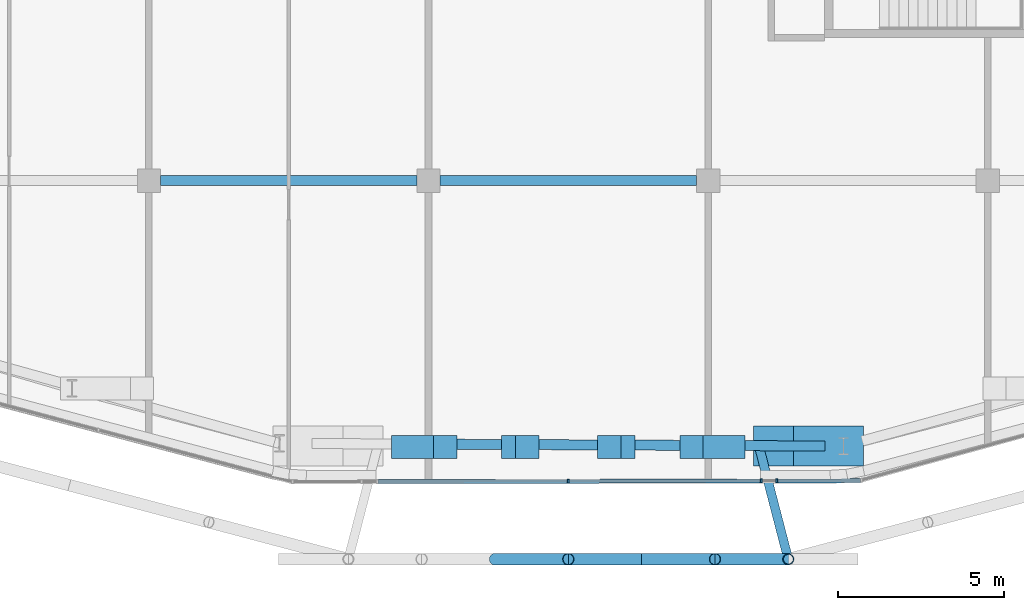
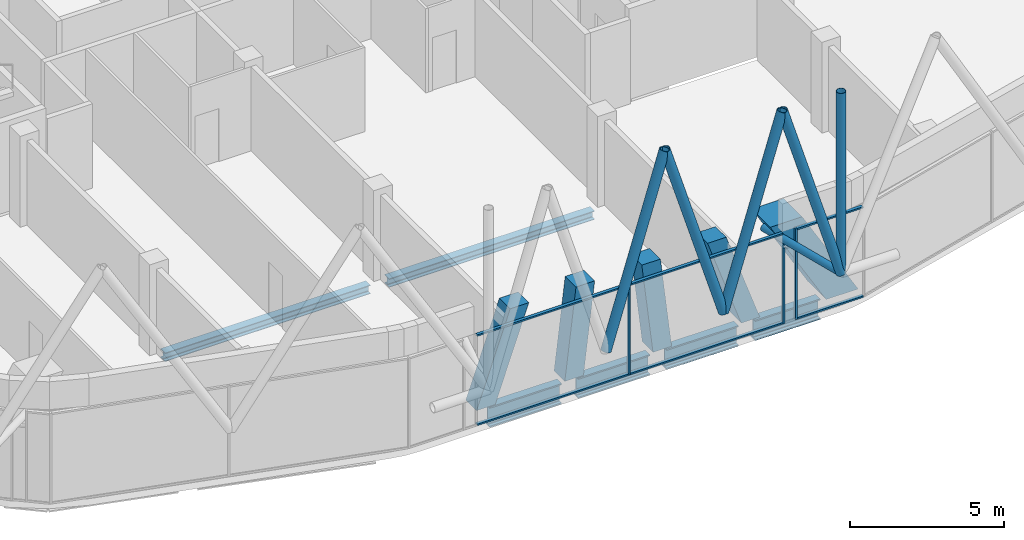
# One storey, part 3 of 25: 20 members, 6 beams, 3 elements without a shape of their own.
"""IFC4 building model written with IfcOpenShell, lengths in metres."""

from ifc_helpers import new_model, si_unit, direction, frame, origin, origin_2d, place, context, subcontext, project, spatial, rectangle, hollow_circle, i_section, extrude, material, layer, layer_set, material_profile, profile_set, type_object, element, aggregate, save


model = new_model("IFC4")

# Units and contexts
model_context = context("Model", 3, precision=1e-05, world=origin(), true_north=direction((0.0, 1.0)))
body_context = subcontext(model_context, "Body", "Model", "MODEL_VIEW")
ifc_project = project(units=[si_unit("LENGTHUNIT", "METRE"), si_unit("AREAUNIT", "SQUARE_METRE"), si_unit("VOLUMEUNIT", "CUBIC_METRE"), si_unit("PLANEANGLEUNIT", "RADIAN"), si_unit("MASSUNIT", "GRAM", prefix="KILO")], contexts=[model_context])

# Site, building, storey
site_placement = place(None, origin())
site = spatial("IfcSite", under=ifc_project, at=site_placement, CompositionType="ELEMENT")
building_placement = place(site_placement, origin())
building = spatial("IfcBuilding", under=site, at=building_placement, Name="Marenta Gate Hotel Tower", CompositionType="ELEMENT")
storey_placement = place(building_placement, frame((0.0, 0.0, 277.699951171875)))
storey = spatial("IfcBuildingStorey", under=building, at=storey_placement, Name="L64", CompositionType="ELEMENT", Elevation=277.699951171875)

# Members
ifc_material_1 = material(Name="Steel S355J2W", Category="steel")
ifc_material_profile_1 = material_profile(ifc_material_1, hollow_circle(Radius=0.161865234375, WallThickness=0.012451171875, at=origin_2d()), Name="CHS 323.9x12.5")
ifc_profile_set_1 = profile_set([ifc_material_profile_1], Name="Steel S355J2W")
member_type_1 = type_object("IfcMemberType", Name="Diagrid corner post C CHS 323.9x12.5", PredefinedType="POST", material=ifc_profile_set_1)
member_1_placement = place(storey_placement, frame((6.60888671875, -36.570068359375, 3.14013671875), z_axis=(0.0, 0.0, 1.0), x_axis=(1.0, 0.0, 0.0)))
element("IfcMember", 1, at=member_1_placement, inside=storey, type_object=member_type_1, Name="L64-DR-9", PredefinedType="POST", context=body_context, shape_type="SweptSolid", body=[
    extrude(hollow_circle(Radius=0.161865234375, WallThickness=0.012451171875, at=origin_2d()), origin(), (0.0, 0.0, 1.0), 7.199951171875),
])
ifc_material_2 = material(Name="Steel S355J2W", Category="steel")
ifc_material_profile_2 = material_profile(ifc_material_2, hollow_circle(Radius=0.177734375, WallThickness=0.01611328125, at=origin_2d()), Name="CHS 355.6x16")
ifc_profile_set_2 = profile_set([ifc_material_profile_2], Name="Steel S355J2W")
member_type_2 = type_object("IfcMemberType", Name="Diagrid diagonal C CHS 355.6x16", PredefinedType="BRACE", material=ifc_profile_set_2)
member_2_placement = place(storey_placement, frame((6.60888671875, -36.570068359375, 3.14013671875), z_axis=(-0.292570270413, 0.0, 0.956244025796), x_axis=(0.0, -1.0, 0.0)))
element("IfcMember", 2, at=member_2_placement, inside=storey, type_object=member_type_2, Name="L64-DG-15", PredefinedType="BRACE", context=body_context, shape_type="SweptSolid", body=[
    extrude(hollow_circle(Radius=0.177734375, WallThickness=0.01611328125, at=origin_2d()), origin(), (0.0, 0.0, 1.0), 7.529296875),
])
member_3_placement = place(storey_placement, frame((2.202880859375, -36.570068359375, 3.14013671875), z_axis=(0.292599919446, 0.0, 0.956234953942), x_axis=(0.0, 1.0, 0.0)))
element("IfcMember", 3, at=member_3_placement, inside=storey, type_object=member_type_2, Name="L64-DG-16", PredefinedType="BRACE", context=body_context, shape_type="SweptSolid", body=[
    extrude(hollow_circle(Radius=0.177734375, WallThickness=0.01611328125, at=origin_2d()), origin(), (0.0, 0.0, 1.0), 7.529541015625),
])
for number, where, z_axis, x_axis, name in (
    (4, (2.202880859375, -36.570068359375, 3.14013671875), (-0.292570270413, 0.0, 0.956244025796), (0.0, -1.0, 0.0), "L64-DG-17"),
    (5, (-2.202880859375, -36.570068359375, 3.14013671875), (0.292570270413, 0.0, 0.956244025796), (0.0, 1.0, 0.0), "L64-DG-18"),
):
    element("IfcMember", number, at=place(storey_placement, frame(where, z_axis=z_axis, x_axis=x_axis)), inside=storey, type_object=member_type_2, Name=name, PredefinedType="BRACE", context=body_context, shape_type="SweptSolid", body=[
        extrude(hollow_circle(Radius=0.177734375, WallThickness=0.01611328125, at=origin_2d()), origin(), (0.0, 0.0, 1.0), 7.529296875),
    ])

# Beams
ifc_material_3 = material(Name="Steel S355", Category="steel")
ifc_material_profile_3 = material_profile(ifc_material_3, i_section(OverallWidth=0.302978515625, OverallDepth=0.81396484375, WebThickness=0.030029296875, FlangeThickness=0.052001953125, FilletRadius=0.030029296875, at=origin_2d()), Name="HEM 800")
ifc_profile_set_3 = profile_set([ifc_material_profile_3], Name="Steel S355")
beam_type_1 = type_object("IfcBeamType", Name="Edge beam HEM 800", PredefinedType="SPANDREL", material=ifc_profile_set_3)
beam_1_placement = place(storey_placement, frame((7.706298828125, -33.169921875, -0.6669921875), z_axis=(-0.999988431664, 0.004810045568, 0.0), x_axis=(-0.004810045568, -0.999988431664, 0.0)))
element("IfcBeam", 6, at=beam_1_placement, inside=storey, type_object=beam_type_1, Name="L64-EB-31", PredefinedType="SPANDREL", context=body_context, shape_type="SweptSolid", body=[
    extrude(i_section(OverallWidth=0.302978515625, OverallDepth=0.81396484375, WebThickness=0.030029296875, FlangeThickness=0.052001953125, FilletRadius=0.030029296875, at=origin_2d()), origin(), (0.0, 0.0, 1.0), 2.436279296875),
])
beam_2_placement = place(storey_placement, frame((4.650146484375, -33.1552734375, -0.6669921875), z_axis=(-0.999988403309, 0.004815936881, 0.0), x_axis=(-0.004815936881, -0.999988403309, 0.0)))
element("IfcBeam", 7, at=beam_2_placement, inside=storey, type_object=beam_type_1, Name="L64-EB-32", PredefinedType="SPANDREL", context=body_context, shape_type="SweptSolid", body=[
    extrude(i_section(OverallWidth=0.302978515625, OverallDepth=0.81396484375, WebThickness=0.030029296875, FlangeThickness=0.052001953125, FilletRadius=0.030029296875, at=origin_2d()), origin(), (0.0, 0.0, 1.0), 2.686767578125),
])
beam_3_placement = place(storey_placement, frame((1.343505859375, -33.139404296875, -0.6669921875), z_axis=(-0.999988405416, 0.004815499317, 0.0), x_axis=(-0.004815499317, -0.999988405416, 0.0)))
element("IfcBeam", 8, at=beam_3_placement, inside=storey, type_object=beam_type_1, Name="L64-EB-33", PredefinedType="SPANDREL", context=body_context, shape_type="SweptSolid", body=[
    extrude(i_section(OverallWidth=0.302978515625, OverallDepth=0.81396484375, WebThickness=0.030029296875, FlangeThickness=0.052001953125, FilletRadius=0.030029296875, at=origin_2d()), origin(), (0.0, 0.0, 1.0), 2.68701171875),
])
beam_4_placement = place(storey_placement, frame((-1.96337890625, -33.12353515625, -0.6669921875), z_axis=(-0.999988403309, 0.004815936881, 0.0), x_axis=(-0.004815936881, -0.999988403309, 0.0)))
element("IfcBeam", 9, at=beam_4_placement, inside=storey, type_object=beam_type_1, Name="L64-EB-34", PredefinedType="SPANDREL", context=body_context, shape_type="SweptSolid", body=[
    extrude(i_section(OverallWidth=0.302978515625, OverallDepth=0.81396484375, WebThickness=0.030029296875, FlangeThickness=0.052001953125, FilletRadius=0.030029296875, at=origin_2d()), origin(), (0.0, 0.0, 1.0), 2.686767578125),
])

# Members
ifc_material_4 = material(Name="Concrete C50", Category="concrete")
ifc_material_profile_4 = material_profile(ifc_material_4, rectangle(XDim=0.699951171875, YDim=0.699951171875, at=origin_2d()), Name="700 x 700")
ifc_profile_set_4 = profile_set([ifc_material_profile_4], Name="Concrete C50")
member_type_3 = type_object("IfcMemberType", Name="Edge column raked 700 x 700 C50", PredefinedType="STRUT", material=ifc_profile_set_4)
member_4_placement = place(storey_placement, frame((4.960205078125, -33.199951171875, 0.0), z_axis=(0.0, 0.0, 1.0), x_axis=(1.0, 0.0, 0.0)))
element("IfcMember", 10, at=member_4_placement, inside=storey, type_object=member_type_3, Name="L64-EC-SKE-SKW-1", PredefinedType="STRUT", context=body_context, shape_type="SweptSolid", body=[
    extrude(rectangle(XDim=0.699951171875, YDim=0.699951171875, at=origin_2d()), origin(), (-0.33034472246, 0.0, 0.94386035214), 3.814208984375),
])
member_5_placement = place(storey_placement, frame((1.6533203125, -33.199951171875, 0.0), z_axis=(0.0, 0.0, 1.0), x_axis=(1.0, 0.0, 0.0)))
element("IfcMember", 11, at=member_5_placement, inside=storey, type_object=member_type_3, Name="L64-EC-SKE-SKW-2", PredefinedType="STRUT", context=body_context, shape_type="SweptSolid", body=[
    extrude(rectangle(XDim=0.699951171875, YDim=0.699951171875, at=origin_2d()), origin(), (-0.115856333124, 0.0, 0.993265981535), 3.62451171875),
])
member_6_placement = place(storey_placement, frame((-1.6533203125, -33.199951171875, 0.0), z_axis=(0.0, 0.0, 1.0), x_axis=(1.0, 0.0, 0.0)))
element("IfcMember", 12, at=member_6_placement, inside=storey, type_object=member_type_3, Name="L64-EC-SKE-SKW-3", PredefinedType="STRUT", context=body_context, shape_type="SweptSolid", body=[
    extrude(rectangle(XDim=0.699951171875, YDim=0.699951171875, at=origin_2d()), origin(), (0.115856333124, 0.0, 0.993265981535), 3.62451171875),
])
member_7_placement = place(storey_placement, frame((-4.960205078125, -33.199951171875, 0.0), z_axis=(0.0, 0.0, 1.0), x_axis=(1.0, 0.0, 0.0)))
element("IfcMember", 13, at=member_7_placement, inside=storey, type_object=member_type_3, Name="L64-EC-SKE-SKW-4", PredefinedType="STRUT", context=body_context, shape_type="SweptSolid", body=[
    extrude(rectangle(XDim=0.699951171875, YDim=0.699951171875, at=origin_2d()), origin(), (0.33034472246, 0.0, 0.94386035214), 3.814208984375),
])
ifc_material_5 = material(Name="Steel S355J2W", Category="steel")
ifc_material_profile_5 = material_profile(ifc_material_5, hollow_circle(Radius=0.136474609375, WallThickness=0.012451171875, at=origin_2d()), Name="CHS 273x12.5")
ifc_profile_set_5 = profile_set([ifc_material_profile_5], Name="Steel S355J2W")
member_type_4 = type_object("IfcMemberType", Name="Floor tie CHS 273x12.5", PredefinedType="STRUT", material=ifc_profile_set_5)
member_8_placement = place(storey_placement, frame((6.60888671875, -36.570068359375, 3.14013671875), z_axis=(-0.251122714471, 0.967955258406, 0.0), x_axis=(-0.967955258406, -0.251122714471, 0.0)))
element("IfcMember", 14, at=member_8_placement, inside=storey, type_object=member_type_4, Name="L64-DR-15", PredefinedType="STRUT", context=body_context, shape_type="SweptSolid", body=[
    extrude(hollow_circle(Radius=0.136474609375, WallThickness=0.012451171875, at=origin_2d()), origin(), (0.0, 0.0, 1.0), 3.58837890625),
])

# Beams
ifc_material_6 = material(Name="Steel S355", Category="steel")
ifc_material_profile_6 = material_profile(ifc_material_6, i_section(OverallWidth=0.300048828125, OverallDepth=0.340087890625, WebThickness=0.011962890625, FlangeThickness=0.021484375, FilletRadius=0.027099609375, at=origin_2d()), Name="HEB 340")
ifc_profile_set_6 = profile_set([ifc_material_profile_6], Name="Steel S355")
beam_type_2 = type_object("IfcBeamType", Name="Girder HEB 340", PredefinedType="BEAM", material=ifc_profile_set_6)
beam_5_placement = place(storey_placement, frame((-12.25, -25.199951171875, -0.429931640625), z_axis=(1.0, 0.0, 0.0), x_axis=(0.0, 1.0, 0.0)))
element("IfcBeam", 15, at=beam_5_placement, inside=storey, type_object=beam_type_2, Name="L64-GD-2", PredefinedType="BEAM", context=body_context, shape_type="SweptSolid", body=[
    extrude(i_section(OverallWidth=0.300048828125, OverallDepth=0.340087890625, WebThickness=0.011962890625, FlangeThickness=0.021484375, FilletRadius=0.027099609375, at=origin_2d()), origin(), (0.0, 0.0, 1.0), 7.699951171875),
])
beam_6_placement = place(storey_placement, frame((-3.85009765625, -25.199951171875, -0.429931640625), z_axis=(1.0, 0.0, 0.0), x_axis=(0.0, 1.0, 0.0)))
element("IfcBeam", 16, at=beam_6_placement, inside=storey, type_object=beam_type_2, Name="L64-GD-3", PredefinedType="BEAM", context=body_context, shape_type="SweptSolid", body=[
    extrude(i_section(OverallWidth=0.300048828125, OverallDepth=0.340087890625, WebThickness=0.011962890625, FlangeThickness=0.021484375, FilletRadius=0.027099609375, at=origin_2d()), origin(), (0.0, 0.0, 1.0), 7.7001953125),
])

# Member
ifc_material_7 = material(Name="Concrete C50", Category="concrete")
ifc_material_profile_7 = material_profile(ifc_material_7, rectangle(XDim=1.199951171875, YDim=1.199951171875, at=origin_2d()), Name="1200 x 1200")
ifc_profile_set_7 = profile_set([ifc_material_profile_7], Name="Concrete C50")
member_type_5 = type_object("IfcMemberType", Name="Mega column raked 1200 x 1200 C50", PredefinedType="STRUT", material=ifc_profile_set_7)
member_9_placement = place(storey_placement, frame((8.266357421875, -33.1748046875, 0.0), z_axis=(0.0, 0.0, 1.0), x_axis=(1.0, 0.0, 0.0)))
element("IfcMember", 17, at=member_9_placement, inside=storey, type_object=member_type_5, Name="L64-MC-SKE", PredefinedType="STRUT", context=body_context, shape_type="SweptSolid", body=[
    extrude(rectangle(XDim=1.199951171875, YDim=1.199951171875, at=origin_2d()), origin(), (-0.503878309678, 0.0, 0.863774651768), 4.16796875),
])

# Curtain wall, member
ifc_material_8 = material(Name="Tinted insulated glass in bronze anodised frame", Category="glass")
ifc_layer = layer(ifc_material_8, 0.1201171875)
ifc_layer_set = layer_set([ifc_layer], Name="Tinted insulated glass in bronze anodised frame")
curtain_wall_type = type_object("IfcCurtainWallType", Name="Tower unitised curtain wall CW1", PredefinedType="NOTDEFINED", material=ifc_layer_set)
curtain_wall_1_placement = place(storey_placement, origin())
curtain_wall_1 = element("IfcCurtainWall", 18, at=curtain_wall_1_placement, inside=storey, type_object=curtain_wall_type, Name="CW1 run G12", PredefinedType="NOTDEFINED")
ifc_material_9 = material(Name="Bronze anodised aluminium", Category="aluminium")
ifc_material_profile_8 = material_profile(ifc_material_9, rectangle(XDim=0.1201171875, YDim=0.06005859375, at=origin_2d()), Name="Mullion CW1 60x120 bronze anodised aluminium")
ifc_profile_set_8 = profile_set([ifc_material_profile_8], Name="Bronze anodised aluminium")
member_type_6 = type_object("IfcMemberType", Name="Mullion CW1 60x120 bronze anodised aluminium", PredefinedType="MULLION", material=ifc_profile_set_8)
member_10_placement = place(storey_placement, frame((-0.003173828125, -34.230224609375, 0.0), z_axis=(0.0, 0.0, 1.0), x_axis=(-0.00206317394, 0.999997871654, 0.0)))
member_10 = element("IfcMember", 19, at=member_10_placement, type_object=member_type_6, Name="CW1 mullion 2", PredefinedType="MULLION", context=body_context, shape_type="SweptSolid", body=[
    extrude(rectangle(XDim=0.1201171875, YDim=0.06005859375, at=origin_2d()), origin(), (0.0, 0.0, 1.0), 3.60009765625),
])

curtain_wall_2_placement = place(storey_placement, origin())
curtain_wall_2 = element("IfcCurtainWall", 20, at=curtain_wall_2_placement, inside=storey, type_object=curtain_wall_type, Name="CW1 run G13", PredefinedType="NOTDEFINED")
member_11_placement = place(storey_placement, frame((5.794677734375, -34.21826171875, 0.0), z_axis=(0.0, 0.0, 1.0), x_axis=(-0.00213766078, 0.999997715201, 0.0)))
member_11 = element("IfcMember", 21, at=member_11_placement, type_object=member_type_6, Name="CW1 mullion 1", PredefinedType="MULLION", context=body_context, shape_type="SweptSolid", body=[
    extrude(rectangle(XDim=0.1201171875, YDim=0.06005859375, at=origin_2d()), origin(), (0.0, 0.0, 1.0), 3.00048828125),
])
aggregate(curtain_wall_2, [member_11])

curtain_wall_3_placement = place(storey_placement, origin())
curtain_wall_3 = element("IfcCurtainWall", 22, at=curtain_wall_3_placement, inside=storey, type_object=curtain_wall_type, Name="CW1 run G14", PredefinedType="NOTDEFINED")
member_12_placement = place(storey_placement, frame((6.262451171875, -34.21728515625, 0.0), z_axis=(0.0, 0.0, 1.0), x_axis=(-0.002084475916, 0.999997827478, 0.0)))
member_12 = element("IfcMember", 23, at=member_12_placement, type_object=member_type_6, Name="CW1 mullion 1", PredefinedType="MULLION", context=body_context, shape_type="SweptSolid", body=[
    extrude(rectangle(XDim=0.1201171875, YDim=0.06005859375, at=origin_2d()), origin(), (0.0, 0.0, 1.0), 3.60009765625),
])

# Member
ifc_material_10 = material(Name="Bronze anodised aluminium", Category="aluminium")
ifc_material_profile_9 = material_profile(ifc_material_10, rectangle(XDim=0.1201171875, YDim=0.06005859375, at=origin_2d()), Name="Transom CW1 60x120 bronze anodised aluminium")
ifc_profile_set_9 = profile_set([ifc_material_profile_9], Name="Bronze anodised aluminium")
member_type_7 = type_object("IfcMemberType", Name="Transom CW1 60x120 bronze anodised aluminium", PredefinedType="USERDEFINED", material=ifc_profile_set_9)
member_13_placement = place(storey_placement, frame((-5.7109375, -34.2421875, 0.030029296875), z_axis=(0.999997869993, 0.002063979092, 0.0), x_axis=(-0.002063979092, 0.999997869993, 0.0)))
member_13 = element("IfcMember", 24, at=member_13_placement, type_object=member_type_7, Name="CW1 transom 1.1", ObjectType="TRANSOM", PredefinedType="USERDEFINED", context=body_context, shape_type="SweptSolid", body=[
    extrude(rectangle(XDim=0.1201171875, YDim=0.06005859375, at=origin_2d()), origin(), (0.0, 0.0, 1.0), 5.677734375),
])

member_14_placement = place(storey_placement, frame((-5.7109375, -34.2421875, 3.570068359375), z_axis=(0.999997869993, 0.002063979092, 0.0), x_axis=(-0.002063979092, 0.999997869993, 0.0)))
member_14 = element("IfcMember", 25, at=member_14_placement, type_object=member_type_7, Name="CW1 transom 1.2", ObjectType="TRANSOM", PredefinedType="USERDEFINED", context=body_context, shape_type="SweptSolid", body=[
    extrude(rectangle(XDim=0.1201171875, YDim=0.06005859375, at=origin_2d()), origin(), (0.0, 0.0, 1.0), 5.677734375),
])

member_15_placement = place(storey_placement, frame((0.02685546875, -34.230224609375, 0.030029296875), z_axis=(0.99999791435, 0.002042375112, 0.0), x_axis=(-0.002042375112, 0.99999791435, 0.0)))
member_15 = element("IfcMember", 26, at=member_15_placement, type_object=member_type_7, Name="CW1 transom 2.1", ObjectType="TRANSOM", PredefinedType="USERDEFINED", context=body_context, shape_type="SweptSolid", body=[
    extrude(rectangle(XDim=0.1201171875, YDim=0.06005859375, at=origin_2d()), origin(), (0.0, 0.0, 1.0), 5.73779296875),
])

member_16_placement = place(storey_placement, frame((0.02685546875, -34.230224609375, 3.570068359375), z_axis=(0.99999791435, 0.002042375112, 0.0), x_axis=(-0.002042375112, 0.99999791435, 0.0)))
member_16 = element("IfcMember", 27, at=member_16_placement, type_object=member_type_7, Name="CW1 transom 2.2", ObjectType="TRANSOM", PredefinedType="USERDEFINED", context=body_context, shape_type="SweptSolid", body=[
    extrude(rectangle(XDim=0.1201171875, YDim=0.06005859375, at=origin_2d()), origin(), (0.0, 0.0, 1.0), 5.73779296875),
])

aggregate(curtain_wall_1, [member_10, member_13, member_14, member_15, member_16])

member_17_placement = place(storey_placement, frame((6.29248046875, -34.21728515625, 0.030029296875), z_axis=(0.999997867688, 0.00206509541, 0.0), x_axis=(-0.00206509541, 0.999997867688, 0.0)))
member_17 = element("IfcMember", 28, at=member_17_placement, type_object=member_type_7, Name="CW1 transom 1.1", ObjectType="TRANSOM", PredefinedType="USERDEFINED", context=body_context, shape_type="SweptSolid", body=[
    extrude(rectangle(XDim=0.1201171875, YDim=0.06005859375, at=origin_2d()), origin(), (0.0, 0.0, 1.0), 2.482666015625),
])

member_18_placement = place(storey_placement, frame((6.29248046875, -34.21728515625, 3.570068359375), z_axis=(0.999997867688, 0.00206509541, 0.0), x_axis=(-0.00206509541, 0.999997867688, 0.0)))
member_18 = element("IfcMember", 29, at=member_18_placement, type_object=member_type_7, Name="CW1 transom 1.2", ObjectType="TRANSOM", PredefinedType="USERDEFINED", context=body_context, shape_type="SweptSolid", body=[
    extrude(rectangle(XDim=0.1201171875, YDim=0.06005859375, at=origin_2d()), origin(), (0.0, 0.0, 1.0), 2.482666015625),
])

aggregate(curtain_wall_3, [member_12, member_17, member_18])

save(model, "model.ifc")
